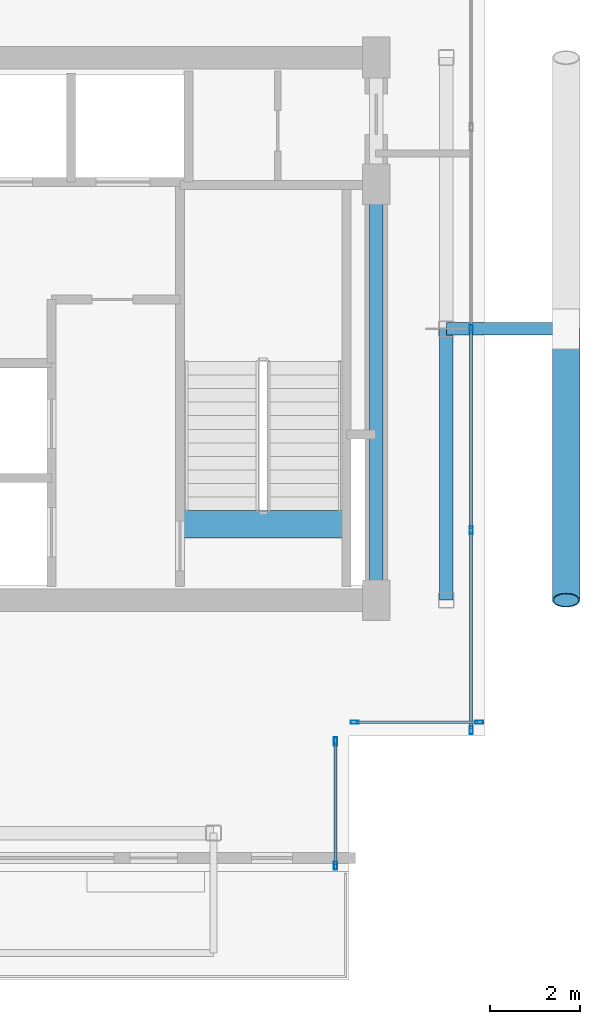
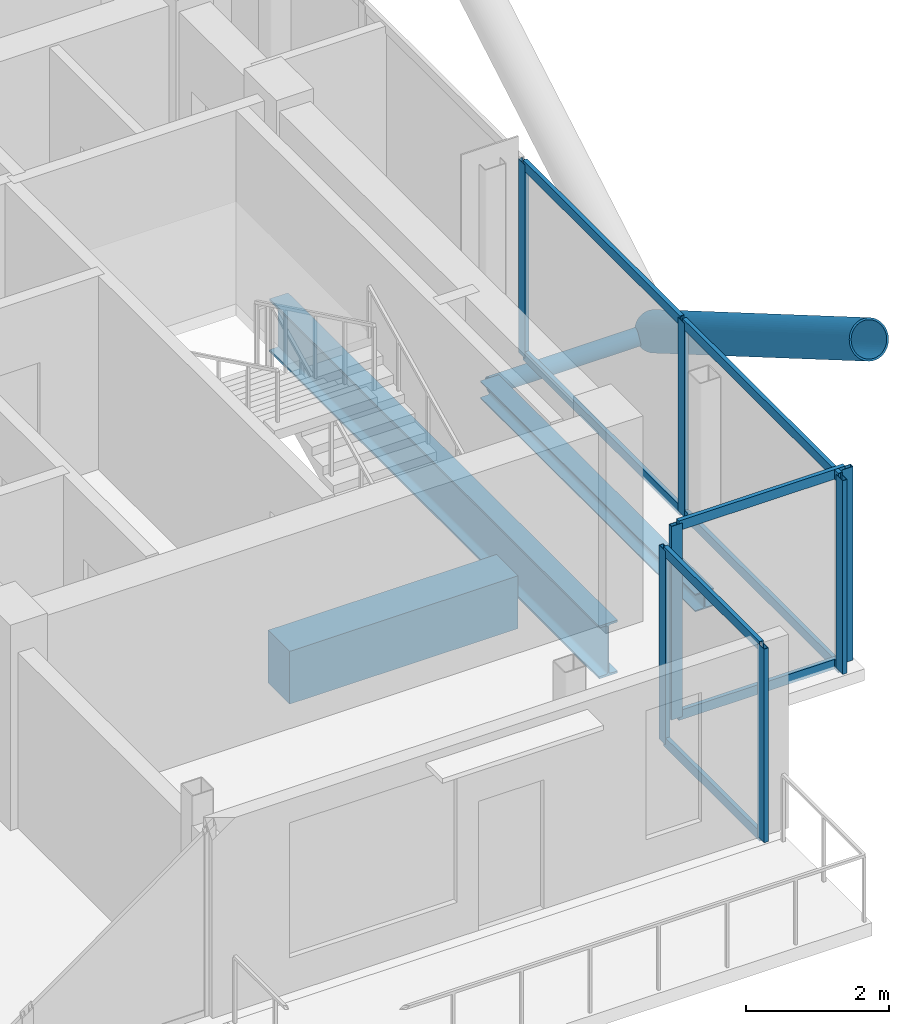
# One storey, part 11 of 18: 17 members, 3 beams, 3 elements without a shape of their own.
"""IFC4 building model written with IfcOpenShell, lengths in metres."""

from ifc_helpers import new_model, si_unit, direction, frame, origin, origin_2d, place, context, subcontext, project, spatial, rectangle, hollow_rectangle, hollow_circle, i_section, extrude, material, layer, layer_set, material_profile, profile_set, type_object, element, aggregate, save


model = new_model("IFC4")

# Units and contexts
model_context = context("Model", 3, precision=1e-05, world=origin(), true_north=direction((0.0, 1.0)))
body_context = subcontext(model_context, "Body", "Model", "MODEL_VIEW")
ifc_project = project(units=[si_unit("LENGTHUNIT", "METRE"), si_unit("AREAUNIT", "SQUARE_METRE"), si_unit("VOLUMEUNIT", "CUBIC_METRE"), si_unit("PLANEANGLEUNIT", "RADIAN"), si_unit("MASSUNIT", "GRAM", prefix="KILO"), si_unit("THERMODYNAMICTEMPERATUREUNIT", "KELVIN"), si_unit("POWERUNIT", "WATT")], contexts=[model_context])

# Site, building, storey
site_placement = place(None, origin())
site = spatial("IfcSite", under=ifc_project, at=site_placement, CompositionType="ELEMENT")
building_placement = place(site_placement, origin())
building = spatial("IfcBuilding", under=site, at=building_placement, Name="Svarakhadi Broadcast Tower", CompositionType="ELEMENT")
storey_placement = place(building_placement, frame((0.0, 0.0, 288.699951171875)))
storey = spatial("IfcBuildingStorey", under=building, at=storey_placement, Name="L73", CompositionType="ELEMENT", Elevation=288.699951171875)

# Curtain wall, members
ifc_material_1 = material(Name="Anodised Bronze Aluminium AA 6063-T6", Category="aluminium")
ifc_layer = layer(ifc_material_1, 0.179931640625)
ifc_layer_set = layer_set([ifc_layer], Name="Anodised Bronze Aluminium AA 6063-T6")
curtain_wall_type = type_object("IfcCurtainWallType", Name="CW_Sys_05", PredefinedType="NOTDEFINED", material=ifc_layer_set)
curtain_wall_1_placement = place(storey_placement, origin())
curtain_wall_1 = element("IfcCurtainWall", 1, at=curtain_wall_1_placement, inside=storey, type_object=curtain_wall_type, Name="L73 Unitised Facade Curtain Wall 12", PredefinedType="NOTDEFINED")
ifc_material_profile_1 = material_profile(ifc_material_1, hollow_rectangle(XDim=0.070068359375, YDim=0.179931640625, WallThickness=0.005615234375, at=origin_2d()), Name="ALU MULLION 180x70x6")
ifc_profile_set_1 = profile_set([ifc_material_profile_1], Name="Anodised Bronze Aluminium AA 6063-T6")
member_type_1 = type_object("IfcMemberType", Name="CW_Sys_05_Mul", PredefinedType="MULLION", material=ifc_profile_set_1)
member_1_placement = place(storey_placement, frame((35.699951171875, 12.0, 0.0), z_axis=(0.0, 0.0, 1.0), x_axis=(1.0, 0.0, 0.0)))
member_1 = element("IfcMember", 2, at=member_1_placement, type_object=member_type_1, Name="CW-05 mullion 3", PredefinedType="MULLION", context=body_context, shape_type="SweptSolid", body=[
    extrude(hollow_rectangle(XDim=0.070068359375, YDim=0.179931640625, WallThickness=0.005615234375, at=origin_2d()), origin(), (0.0, 0.0, 1.0), 3.300048828125),
])
member_2_placement = place(storey_placement, frame((35.699951171875, 7.544921875, 0.0), z_axis=(0.0, 0.0, 1.0), x_axis=(1.0, 0.0, 0.0)))
member_2 = element("IfcMember", 3, at=member_2_placement, type_object=member_type_1, Name="CW-05 mullion 4", PredefinedType="MULLION", context=body_context, shape_type="SweptSolid", body=[
    extrude(hollow_rectangle(XDim=0.070068359375, YDim=0.179931640625, WallThickness=0.005615234375, at=origin_2d()), origin(), (0.0, 0.0, 1.0), 3.300048828125),
])
member_3_placement = place(storey_placement, frame((35.699951171875, 3.125, 0.0), z_axis=(0.0, 0.0, 1.0), x_axis=(1.0, 0.0, 0.0)))
member_3 = element("IfcMember", 4, at=member_3_placement, type_object=member_type_1, Name="CW-05 mullion 5", PredefinedType="MULLION", context=body_context, shape_type="SweptSolid", body=[
    extrude(hollow_rectangle(XDim=0.070068359375, YDim=0.179931640625, WallThickness=0.005615234375, at=origin_2d()), origin(), (0.0, 0.0, 1.0), 3.300048828125),
])

curtain_wall_2_placement = place(storey_placement, origin())
curtain_wall_2 = element("IfcCurtainWall", 5, at=curtain_wall_2_placement, inside=storey, type_object=curtain_wall_type, Name="L73 Unitised Facade Curtain Wall 13", PredefinedType="NOTDEFINED")
member_4_placement = place(storey_placement, frame((35.875, 3.300048828125, 0.0), z_axis=(0.0, 0.0, 1.0), x_axis=(0.0, -1.0, 0.0)))
member_4 = element("IfcMember", 6, at=member_4_placement, type_object=member_type_1, Name="CW-05 mullion 1", PredefinedType="MULLION", context=body_context, shape_type="SweptSolid", body=[
    extrude(hollow_rectangle(XDim=0.070068359375, YDim=0.179931640625, WallThickness=0.005615234375, at=origin_2d()), origin(), (0.0, 0.0, 1.0), 3.300048828125),
])
member_5_placement = place(storey_placement, frame((33.125, 3.300048828125, 0.0), z_axis=(0.0, 0.0, 1.0), x_axis=(0.0, -1.0, 0.0)))
member_5 = element("IfcMember", 7, at=member_5_placement, type_object=member_type_1, Name="CW-05 mullion 2", PredefinedType="MULLION", context=body_context, shape_type="SweptSolid", body=[
    extrude(hollow_rectangle(XDim=0.070068359375, YDim=0.179931640625, WallThickness=0.005615234375, at=origin_2d()), origin(), (0.0, 0.0, 1.0), 3.300048828125),
])

curtain_wall_3_placement = place(storey_placement, origin())
curtain_wall_3 = element("IfcCurtainWall", 8, at=curtain_wall_3_placement, inside=storey, type_object=curtain_wall_type, Name="L73 Unitised Facade Curtain Wall 14", PredefinedType="NOTDEFINED")
member_6_placement = place(storey_placement, frame((32.699951171875, 2.875, 0.0), z_axis=(0.0, 0.0, 1.0), x_axis=(1.0, 0.0, 0.0)))
member_6 = element("IfcMember", 9, at=member_6_placement, type_object=member_type_1, Name="CW-05 mullion 1", PredefinedType="MULLION", context=body_context, shape_type="SweptSolid", body=[
    extrude(hollow_rectangle(XDim=0.070068359375, YDim=0.179931640625, WallThickness=0.005615234375, at=origin_2d()), origin(), (0.0, 0.0, 1.0), 3.300048828125),
])
member_7_placement = place(storey_placement, frame((32.699951171875, 0.125, 0.0), z_axis=(0.0, 0.0, 1.0), x_axis=(1.0, 0.0, 0.0)))
member_7 = element("IfcMember", 10, at=member_7_placement, type_object=member_type_1, Name="CW-05 mullion 2", PredefinedType="MULLION", context=body_context, shape_type="SweptSolid", body=[
    extrude(hollow_rectangle(XDim=0.070068359375, YDim=0.179931640625, WallThickness=0.005615234375, at=origin_2d()), origin(), (0.0, 0.0, 1.0), 3.300048828125),
])

# Member
ifc_material_profile_2 = material_profile(ifc_material_1, hollow_rectangle(XDim=0.06494140625, YDim=0.1650390625, WallThickness=0.0048828125, at=origin_2d()), Name="ALU TRANSOM 165x65x5")
ifc_profile_set_2 = profile_set([ifc_material_profile_2], Name="Anodised Bronze Aluminium AA 6063-T6")
member_type_2 = type_object("IfcMemberType", Name="CW_Sys_05_Trn", PredefinedType="USERDEFINED", material=ifc_profile_set_2)
member_8_placement = place(storey_placement, frame((35.699951171875, 11.965087890625, 0.032470703125), z_axis=(0.0, -1.0, 0.0), x_axis=(1.0, 0.0, 0.0)))
member_8 = element("IfcMember", 11, at=member_8_placement, type_object=member_type_2, Name="CW-05 transom 3.1", ObjectType="TRANSOM", PredefinedType="USERDEFINED", context=body_context, shape_type="SweptSolid", body=[
    extrude(hollow_rectangle(XDim=0.06494140625, YDim=0.1650390625, WallThickness=0.0048828125, at=origin_2d()), origin(), (0.0, 0.0, 1.0), 4.385009765625),
])

member_9_placement = place(storey_placement, frame((35.699951171875, 11.965087890625, 3.267578125), z_axis=(0.0, -1.0, 0.0), x_axis=(1.0, 0.0, 0.0)))
member_9 = element("IfcMember", 12, at=member_9_placement, type_object=member_type_2, Name="CW-05 transom 3.2", ObjectType="TRANSOM", PredefinedType="USERDEFINED", context=body_context, shape_type="SweptSolid", body=[
    extrude(hollow_rectangle(XDim=0.06494140625, YDim=0.1650390625, WallThickness=0.0048828125, at=origin_2d()), origin(), (0.0, 0.0, 1.0), 4.385009765625),
])

member_10_placement = place(storey_placement, frame((35.699951171875, 7.510009765625, 0.032470703125), z_axis=(0.0, -1.0, 0.0), x_axis=(1.0, 0.0, 0.0)))
member_10 = element("IfcMember", 13, at=member_10_placement, type_object=member_type_2, Name="CW-05 transom 4.1", ObjectType="TRANSOM", PredefinedType="USERDEFINED", context=body_context, shape_type="SweptSolid", body=[
    extrude(hollow_rectangle(XDim=0.06494140625, YDim=0.1650390625, WallThickness=0.0048828125, at=origin_2d()), origin(), (0.0, 0.0, 1.0), 4.35009765625),
])

member_11_placement = place(storey_placement, frame((35.699951171875, 7.510009765625, 3.267578125), z_axis=(0.0, -1.0, 0.0), x_axis=(1.0, 0.0, 0.0)))
member_11 = element("IfcMember", 14, at=member_11_placement, type_object=member_type_2, Name="CW-05 transom 4.2", ObjectType="TRANSOM", PredefinedType="USERDEFINED", context=body_context, shape_type="SweptSolid", body=[
    extrude(hollow_rectangle(XDim=0.06494140625, YDim=0.1650390625, WallThickness=0.0048828125, at=origin_2d()), origin(), (0.0, 0.0, 1.0), 4.35009765625),
])

aggregate(curtain_wall_1, [member_1, member_2, member_3, member_8, member_9, member_10, member_11])

member_12_placement = place(storey_placement, frame((35.840087890625, 3.300048828125, 0.032470703125), z_axis=(-1.0, 0.0, 0.0), x_axis=(0.0, -1.0, 0.0)))
member_12 = element("IfcMember", 15, at=member_12_placement, type_object=member_type_2, Name="CW-05 transom 1.1", ObjectType="TRANSOM", PredefinedType="USERDEFINED", context=body_context, shape_type="SweptSolid", body=[
    extrude(hollow_rectangle(XDim=0.06494140625, YDim=0.1650390625, WallThickness=0.0048828125, at=origin_2d()), origin(), (0.0, 0.0, 1.0), 2.68017578125),
])

member_13_placement = place(storey_placement, frame((35.840087890625, 3.300048828125, 3.267578125), z_axis=(-1.0, 0.0, 0.0), x_axis=(0.0, -1.0, 0.0)))
member_13 = element("IfcMember", 16, at=member_13_placement, type_object=member_type_2, Name="CW-05 transom 1.2", ObjectType="TRANSOM", PredefinedType="USERDEFINED", context=body_context, shape_type="SweptSolid", body=[
    extrude(hollow_rectangle(XDim=0.06494140625, YDim=0.1650390625, WallThickness=0.0048828125, at=origin_2d()), origin(), (0.0, 0.0, 1.0), 2.68017578125),
])

aggregate(curtain_wall_2, [member_4, member_5, member_12, member_13])

member_14_placement = place(storey_placement, frame((32.699951171875, 2.840087890625, 0.032470703125), z_axis=(0.0, -1.0, 0.0), x_axis=(1.0, 0.0, 0.0)))
member_14 = element("IfcMember", 17, at=member_14_placement, type_object=member_type_2, Name="CW-05 transom 1.1", ObjectType="TRANSOM", PredefinedType="USERDEFINED", context=body_context, shape_type="SweptSolid", body=[
    extrude(hollow_rectangle(XDim=0.06494140625, YDim=0.1650390625, WallThickness=0.0048828125, at=origin_2d()), origin(), (0.0, 0.0, 1.0), 2.68017578125),
])

member_15_placement = place(storey_placement, frame((32.699951171875, 2.840087890625, 3.267578125), z_axis=(0.0, -1.0, 0.0), x_axis=(1.0, 0.0, 0.0)))
member_15 = element("IfcMember", 18, at=member_15_placement, type_object=member_type_2, Name="CW-05 transom 1.2", ObjectType="TRANSOM", PredefinedType="USERDEFINED", context=body_context, shape_type="SweptSolid", body=[
    extrude(hollow_rectangle(XDim=0.06494140625, YDim=0.1650390625, WallThickness=0.0048828125, at=origin_2d()), origin(), (0.0, 0.0, 1.0), 2.68017578125),
])

aggregate(curtain_wall_3, [member_6, member_7, member_14, member_15])

# Beam
ifc_material_2 = material(Name="Concrete C50/60 (IS 456 M60)", Category="concrete")
ifc_material_profile_3 = material_profile(ifc_material_2, rectangle(XDim=0.60009765625, YDim=0.89990234375, at=origin_2d()), Name="RC 600x900")
ifc_profile_set_3 = profile_set([ifc_material_profile_3], Name="Concrete C50/60 (IS 456 M60)")
beam_type_1 = type_object("IfcBeamType", Name="Coupling_RC600", PredefinedType="USERDEFINED", material=ifc_profile_set_3)
beam_1_placement = place(storey_placement, frame((29.260009765625, 7.679931640625, -0.449951171875), z_axis=(1.0, 0.0, 0.0), x_axis=(0.0, 1.0, 0.0)))
element("IfcBeam", 19, at=beam_1_placement, inside=storey, type_object=beam_type_1, Name="L73 Stair ST-02 Landing Throat Trimmer Beam CB-01", ObjectType="GIRDER", PredefinedType="USERDEFINED", context=body_context, shape_type="SweptSolid", body=[
    extrude(rectangle(XDim=0.60009765625, YDim=0.89990234375, at=origin_2d()), origin(), (0.0, 0.0, 1.0), 3.679931640625),
])

# Members
ifc_material_3 = material(Name="Steel S460ML (IS 2062 E450BR)", Category="steel")
ifc_material_profile_4 = material_profile(ifc_material_3, hollow_circle(Radius=0.304931640625, WallThickness=0.030029296875, at=origin_2d()), Name="CHS 610x30")
ifc_profile_set_4 = profile_set([ifc_material_profile_4], Name="Steel S460ML (IS 2062 E450BR)")
member_type_3 = type_object("IfcMemberType", Name="Exo_Brace_CHS610", PredefinedType="BRACE", material=ifc_profile_set_4)
member_16_placement = place(storey_placement, frame((37.800048828125, 12.0, -0.33642578125), z_axis=(0.0, -0.863778900898, 0.503871025524), x_axis=(1.0, 0.0, 0.0)))
element("IfcMember", 20, at=member_16_placement, inside=storey, type_object=member_type_3, Name="L73 Exposed Bronze Exoskeleton Diagonal E04", PredefinedType="BRACE", context=body_context, shape_type="SweptSolid", body=[
    extrude(hollow_circle(Radius=0.304931640625, WallThickness=0.030029296875, at=origin_2d()), origin(), (0.0, 0.0, 1.0), 6.9462890625),
])
ifc_material_profile_5 = material_profile(ifc_material_3, hollow_circle(Radius=0.136474609375, WallThickness=0.012451171875, at=origin_2d()), Name="CHS 273x12.5")
ifc_profile_set_5 = profile_set([ifc_material_profile_5], Name="Steel S460ML (IS 2062 E450BR)")
member_type_4 = type_object("IfcMemberType", Name="Exo_Radial_Strut_Z3", PredefinedType="STRUT", material=ifc_profile_set_5)
member_17_placement = place(storey_placement, frame((37.800048828125, 12.0, -0.33642578125), z_axis=(-1.0, 0.0, 0.0), x_axis=(0.0, -1.0, 0.0)))
element("IfcMember", 21, at=member_17_placement, inside=storey, type_object=member_type_4, Name="L73 Exoskeleton Radial Tie Strut E03", PredefinedType="STRUT", context=body_context, shape_type="SweptSolid", body=[
    extrude(hollow_circle(Radius=0.136474609375, WallThickness=0.012451171875, at=origin_2d()), origin(), (0.0, 0.0, 1.0), 2.650146484375),
])

# Beams
ifc_material_4 = material(Name="Steel S355J2 (IS 2062 E350C)", Category="steel")
ifc_material_profile_6 = material_profile(ifc_material_4, i_section(OverallWidth=0.300048828125, OverallDepth=0.300048828125, WebThickness=0.010986328125, FlangeThickness=0.01904296875, FilletRadius=0.027099609375, at=origin_2d()), Name="WPB 300x300x117")
ifc_profile_set_6 = profile_set([ifc_material_profile_6], Name="Steel S355J2 (IS 2062 E350C)")
beam_type_2 = type_object("IfcBeamType", Name="Girder_WPB300", PredefinedType="USERDEFINED", material=ifc_profile_set_6)
beam_2_placement = place(storey_placement, frame((35.14990234375, 6.0, -0.349853515625), z_axis=(0.0, 1.0, 0.0), x_axis=(-1.0, 0.0, 0.0)))
element("IfcBeam", 22, at=beam_2_placement, inside=storey, type_object=beam_type_2, Name="L73 Primary N-S Girder G045", ObjectType="GIRDER", PredefinedType="USERDEFINED", context=body_context, shape_type="SweptSolid", body=[
    extrude(i_section(OverallWidth=0.300048828125, OverallDepth=0.300048828125, WebThickness=0.010986328125, FlangeThickness=0.01904296875, FilletRadius=0.027099609375, at=origin_2d()), origin(), (0.0, 0.0, 1.0), 6.0),
])
ifc_material_profile_7 = material_profile(ifc_material_3, i_section(OverallWidth=0.300048828125, OverallDepth=0.89990234375, WebThickness=0.0185546875, FlangeThickness=0.034912109375, FilletRadius=0.030029296875, at=origin_2d()), Name="WPB 900x300x291")
ifc_profile_set_7 = profile_set([ifc_material_profile_7], Name="Steel S460ML (IS 2062 E450BR)")
beam_type_3 = type_object("IfcBeamType", Name="Girder_WPB900", PredefinedType="USERDEFINED", material=ifc_profile_set_7)
beam_3_placement = place(storey_placement, frame((33.60009765625, 6.0, -0.64990234375), z_axis=(0.0, 1.0, 0.0), x_axis=(-1.0, 0.0, 0.0)))
element("IfcBeam", 23, at=beam_3_placement, inside=storey, type_object=beam_type_3, Name="L73 Primary N-S Girder G043", ObjectType="GIRDER", PredefinedType="USERDEFINED", context=body_context, shape_type="SweptSolid", body=[
    extrude(i_section(OverallWidth=0.300048828125, OverallDepth=0.89990234375, WebThickness=0.0185546875, FlangeThickness=0.034912109375, FilletRadius=0.030029296875, at=origin_2d()), origin(), (0.0, 0.0, 1.0), 9.199951171875),
])

save(model, "model.ifc")
